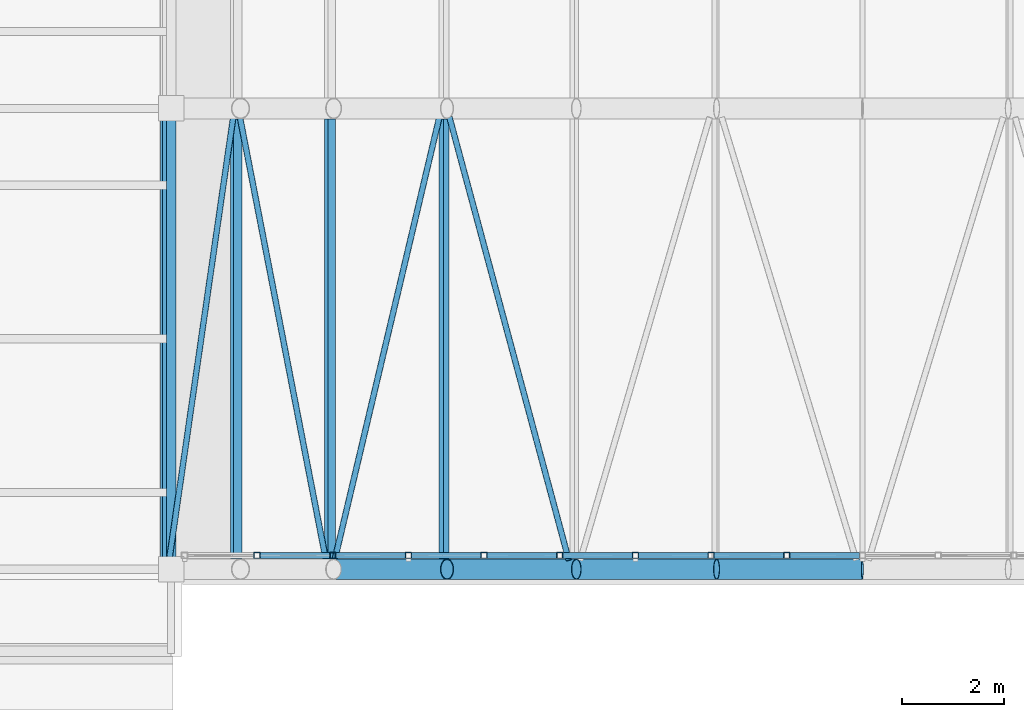
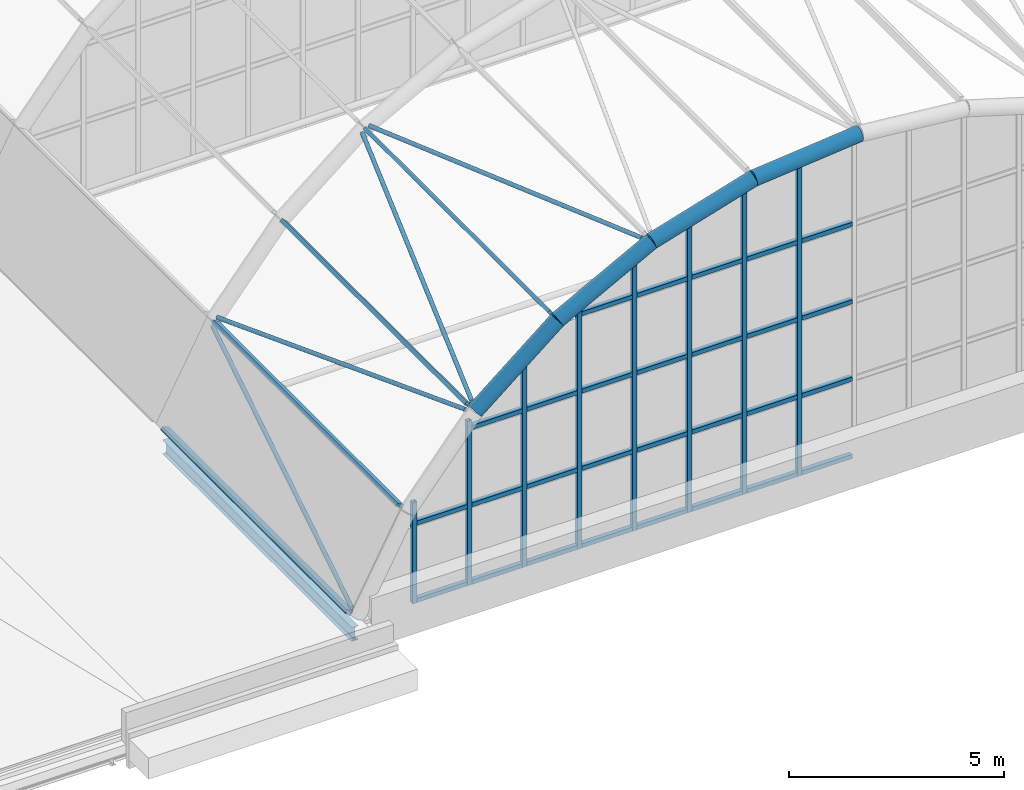
# One storey, part 20 of 121: 48 members, 1 beam, 1 element without a shape of its own.
"""IFC4 building model written with IfcOpenShell, lengths in metres."""

from ifc_helpers import new_model, si_unit, direction, frame, origin, origin_2d, place, context, subcontext, project, spatial, hollow_rectangle, hollow_circle, i_section, extrude, material, material_profile, profile_set, type_object, element, aggregate, save


model = new_model("IFC4")

# Units and contexts
model_context = context("Model", 3, precision=1e-05, world=origin(), true_north=direction((0.0, 1.0)))
body_context = subcontext(model_context, "Body", "Model", "MODEL_VIEW")
ifc_project = project(units=[si_unit("LENGTHUNIT", "METRE"), si_unit("AREAUNIT", "SQUARE_METRE"), si_unit("VOLUMEUNIT", "CUBIC_METRE"), si_unit("PLANEANGLEUNIT", "RADIAN"), si_unit("MASSUNIT", "GRAM", prefix="KILO")], contexts=[model_context])

# Site, building, storey
site_placement = place(None, origin())
site = spatial("IfcSite", under=ifc_project, at=site_placement, CompositionType="ELEMENT")
building_placement = place(site_placement, origin())
building = spatial("IfcBuilding", under=site, at=building_placement, Name="Golden Quay Civic Hall", CompositionType="ELEMENT")
storey_placement = place(building_placement, frame((0.0, 0.0, 18.60009765625)))
storey = spatial("IfcBuildingStorey", under=building, at=storey_placement, Name="L04", CompositionType="ELEMENT", Elevation=18.60009765625)

# Members
ifc_material_1 = material(Name="Steel S355", Category="steel")
ifc_material_profile_1 = material_profile(ifc_material_1, hollow_circle(Radius=0.203125, WallThickness=0.01611328125, at=origin_2d()), Name="CHS 406.4x16")
ifc_profile_set_1 = profile_set([ifc_material_profile_1], Name="Steel S355")
member_type_1 = type_object("IfcMemberType", Name="Steel arch rib CHS 406.4x16", PredefinedType="USERDEFINED", material=ifc_profile_set_1)
for number, where, z_axis, x_axis, name in (
    (1, (75.173095703125, 0.0, 4.830810546875), (0.773786223221, 0.0, 0.633446825514), (0.0, 1.0, 0.0), "Arch rib 1 segment 3"),
    (2, (77.387451171875, 0.0, 6.6435546875), (0.882326964097, 0.0, 0.470636939082), (0.0, 1.0, 0.0), "Arch rib 1 segment 4"),
):
    element("IfcMember", number, at=place(storey_placement, frame(where, z_axis=z_axis, x_axis=x_axis)), inside=storey, type_object=member_type_1, Name=name, ObjectType="ARCH RIB", PredefinedType="USERDEFINED", context=body_context, shape_type="SweptSolid", body=[
        extrude(hollow_circle(Radius=0.203125, WallThickness=0.01611328125, at=origin_2d()), origin(), (0.0, 0.0, 1.0), 2.86181640625),
    ])
member_1_placement = place(storey_placement, frame((79.91259765625, 0.0, 7.990478515625), z_axis=(0.957095401463, 0.0, 0.289773001673), x_axis=(0.0, 1.0, 0.0)))
element("IfcMember", 3, at=member_1_placement, inside=storey, type_object=member_type_1, Name="Arch rib 1 segment 5", ObjectType="ARCH RIB", PredefinedType="USERDEFINED", context=body_context, shape_type="SweptSolid", body=[
    extrude(hollow_circle(Radius=0.203125, WallThickness=0.01611328125, at=origin_2d()), origin(), (0.0, 0.0, 1.0), 2.862060546875),
])
member_2_placement = place(storey_placement, frame((82.65185546875, 0.0, 8.81982421875), z_axis=(0.995201360973, 0.0, 0.097848102266), x_axis=(0.0, 1.0, 0.0)))
element("IfcMember", 4, at=member_2_placement, inside=storey, type_object=member_type_1, Name="Arch rib 1 segment 6", ObjectType="ARCH RIB", PredefinedType="USERDEFINED", context=body_context, shape_type="SweptSolid", body=[
    extrude(hollow_circle(Radius=0.203125, WallThickness=0.01611328125, at=origin_2d()), origin(), (0.0, 0.0, 1.0), 2.86181640625),
])

# Beam
ifc_material_2 = material(Name="Steel S355", Category="steel")
ifc_material_profile_2 = material_profile(ifc_material_2, i_section(OverallWidth=0.179931640625, OverallDepth=0.39990234375, WebThickness=0.008544921875, FlangeThickness=0.013427734375, FilletRadius=0.02099609375, at=origin_2d()), Name="IPE 400")
ifc_profile_set_2 = profile_set([ifc_material_profile_2], Name="Steel S355")
beam_type = type_object("IfcBeamType", Name="Steel beam IPE 400", PredefinedType="BEAM", material=ifc_profile_set_2)
beam_placement = place(storey_placement, frame((72.0, 0.094970703125, -0.4501953125), z_axis=(0.0, 1.0, 0.0), x_axis=(-1.0, 0.0, 0.0)))
element("IfcBeam", 5, at=beam_placement, inside=storey, type_object=beam_type, Name="Beam L72-0", PredefinedType="BEAM", context=body_context, shape_type="SweptSolid", body=[
    extrude(i_section(OverallWidth=0.179931640625, OverallDepth=0.39990234375, WebThickness=0.008544921875, FlangeThickness=0.013427734375, FilletRadius=0.02099609375, at=origin_2d()), origin(), (0.0, 0.0, 1.0), 8.81005859375),
])

# Members
ifc_material_3 = material(Name="Steel S355", Category="steel")
ifc_material_profile_3 = material_profile(ifc_material_3, hollow_circle(Radius=0.05712890625, WallThickness=0.00634765625, at=origin_2d()), Name="CHS 114.3x6.3")
ifc_profile_set_3 = profile_set([ifc_material_profile_3], Name="Steel S355")
member_type_2 = type_object("IfcMemberType", Name="Steel bracing rod CHS 114.3x6.3", PredefinedType="BRACE", material=ifc_profile_set_3)
for number, where, z_axis, x_axis, name in (
    (6, (71.961181640625, 0.175048828125, 0.24560546875), (0.138180562314, 0.9563854899, 0.257357585682), (-0.989723086129, 0.142997247471, 0.0), "Vault bracing south 1"),
    (7, (73.34423828125, 8.824951171875, 2.771728515625), (0.185661631915, -0.956381450821, 0.225531104195), (0.981673313641, 0.190571522755, 0.0), "Vault bracing south 2"),
    (8, (75.192626953125, 0.175048828125, 4.980224609375), (0.226043817582, 0.956380756741, 0.185040645991), (-0.973186848688, 0.230015994099, 0.0), "Vault bracing south 3"),
    (9, (77.43603515625, 8.824951171875, 6.786376953125), (0.257735343347, -0.956384919854, 0.137478645126), (0.965553106332, 0.260206069976, 0.0), "Vault bracing south 4"),
):
    element("IfcMember", number, at=place(storey_placement, frame(where, z_axis=z_axis, x_axis=x_axis)), inside=storey, type_object=member_type_2, Name=name, PredefinedType="BRACE", context=body_context, shape_type="SweptSolid", body=[
        extrude(hollow_circle(Radius=0.05712890625, WallThickness=0.00634765625, at=origin_2d()), origin(), (0.0, 0.0, 1.0), 9.04443359375),
    ])

# Curtain wall, members
ifc_material_4 = material(Name="Glass and aluminium", Category="aluminium")
curtain_wall_type = type_object("IfcCurtainWallType", Name="Glazed curtain wall 1500 module", PredefinedType="NOTDEFINED", material=ifc_material_4)
curtain_wall_placement = place(storey_placement, origin())
curtain_wall = element("IfcCurtainWall", 10, at=curtain_wall_placement, inside=storey, type_object=curtain_wall_type, Name="Curtain wall tympanum south", PredefinedType="NOTDEFINED")
ifc_material_5 = material(Name="Steel S355", Category="steel")
ifc_material_profile_4 = material_profile(ifc_material_5, hollow_rectangle(XDim=0.1201171875, YDim=0.1201171875, WallThickness=0.008056640625, at=origin_2d()), Name="SHS 120x120x8")
ifc_profile_set_4 = profile_set([ifc_material_profile_4], Name="Steel S355")
member_type_3 = type_object("IfcMemberType", Name="Steel mullion SHS 120x120x8", PredefinedType="MULLION", material=ifc_profile_set_4)
member_3_placement = place(storey_placement, frame((73.677734375, 0.27001953125, -0.25), z_axis=(0.0, 0.0, 1.0), x_axis=(0.0, 1.0, 0.0)))
member_3 = element("IfcMember", 11, at=member_3_placement, type_object=member_type_3, Name="Tympanum mullion 2", PredefinedType="MULLION", context=body_context, shape_type="SweptSolid", body=[
    extrude(hollow_rectangle(XDim=0.1201171875, YDim=0.1201171875, WallThickness=0.008056640625, at=origin_2d()), origin(), (0.0, 0.0, 1.0), 2.8720703125),
])
member_4_placement = place(storey_placement, frame((75.155517578125, 0.27001953125, -0.25), z_axis=(0.0, 0.0, 1.0), x_axis=(0.0, 1.0, 0.0)))
member_4 = element("IfcMember", 12, at=member_4_placement, type_object=member_type_3, Name="Tympanum mullion 3", PredefinedType="MULLION", context=body_context, shape_type="SweptSolid", body=[
    extrude(hollow_rectangle(XDim=0.1201171875, YDim=0.1201171875, WallThickness=0.008056640625, at=origin_2d()), origin(), (0.0, 0.0, 1.0), 4.6669921875),
])
member_5_placement = place(storey_placement, frame((76.63330078125, 0.27001953125, -0.25), z_axis=(0.0, 0.0, 1.0), x_axis=(0.0, 1.0, 0.0)))
member_5 = element("IfcMember", 13, at=member_5_placement, type_object=member_type_3, Name="Tympanum mullion 4", PredefinedType="MULLION", context=body_context, shape_type="SweptSolid", body=[
    extrude(hollow_rectangle(XDim=0.1201171875, YDim=0.1201171875, WallThickness=0.008056640625, at=origin_2d()), origin(), (0.0, 0.0, 1.0), 5.964599609375),
])
member_6_placement = place(storey_placement, frame((78.111083984375, 0.27001953125, -0.25), z_axis=(0.0, 0.0, 1.0), x_axis=(0.0, 1.0, 0.0)))
member_6 = element("IfcMember", 14, at=member_6_placement, type_object=member_type_3, Name="Tympanum mullion 5", PredefinedType="MULLION", context=body_context, shape_type="SweptSolid", body=[
    extrude(hollow_rectangle(XDim=0.1201171875, YDim=0.1201171875, WallThickness=0.008056640625, at=origin_2d()), origin(), (0.0, 0.0, 1.0), 7.017333984375),
])
member_7_placement = place(storey_placement, frame((79.5888671875, 0.27001953125, -0.25), z_axis=(0.0, 0.0, 1.0), x_axis=(0.0, 1.0, 0.0)))
member_7 = element("IfcMember", 15, at=member_7_placement, type_object=member_type_3, Name="Tympanum mullion 6", PredefinedType="MULLION", context=body_context, shape_type="SweptSolid", body=[
    extrude(hollow_rectangle(XDim=0.1201171875, YDim=0.1201171875, WallThickness=0.008056640625, at=origin_2d()), origin(), (0.0, 0.0, 1.0), 7.805419921875),
])
member_8_placement = place(storey_placement, frame((81.066650390625, 0.27001953125, -0.25), z_axis=(0.0, 0.0, 1.0), x_axis=(0.0, 1.0, 0.0)))
member_8 = element("IfcMember", 16, at=member_8_placement, type_object=member_type_3, Name="Tympanum mullion 7", PredefinedType="MULLION", context=body_context, shape_type="SweptSolid", body=[
    extrude(hollow_rectangle(XDim=0.1201171875, YDim=0.1201171875, WallThickness=0.008056640625, at=origin_2d()), origin(), (0.0, 0.0, 1.0), 8.359375),
])
member_9_placement = place(storey_placement, frame((82.54443359375, 0.27001953125, -0.25), z_axis=(0.0, 0.0, 1.0), x_axis=(0.0, 1.0, 0.0)))
member_9 = element("IfcMember", 17, at=member_9_placement, type_object=member_type_3, Name="Tympanum mullion 8", PredefinedType="MULLION", context=body_context, shape_type="SweptSolid", body=[
    extrude(hollow_rectangle(XDim=0.1201171875, YDim=0.1201171875, WallThickness=0.008056640625, at=origin_2d()), origin(), (0.0, 0.0, 1.0), 8.806884765625),
])
member_10_placement = place(storey_placement, frame((84.022216796875, 0.27001953125, -0.25), z_axis=(0.0, 0.0, 1.0), x_axis=(0.0, 1.0, 0.0)))
member_10 = element("IfcMember", 18, at=member_10_placement, type_object=member_type_3, Name="Tympanum mullion 9", PredefinedType="MULLION", context=body_context, shape_type="SweptSolid", body=[
    extrude(hollow_rectangle(XDim=0.1201171875, YDim=0.1201171875, WallThickness=0.008056640625, at=origin_2d()), origin(), (0.0, 0.0, 1.0), 8.99462890625),
])

# Members
ifc_material_6 = material(Name="Steel S355", Category="steel")
ifc_material_profile_5 = material_profile(ifc_material_6, hollow_rectangle(XDim=0.10009765625, YDim=0.199951171875, WallThickness=0.008056640625, at=origin_2d()), Name="RHS 200x100x8")
ifc_profile_set_5 = profile_set([ifc_material_profile_5], Name="Steel S355")
member_type_4 = type_object("IfcMemberType", Name="Steel purlin RHS 200x100x8", PredefinedType="PURLIN", material=ifc_profile_set_5)
for number, where, z_axis, x_axis, name in (
    (19, (71.90478515625, 0.203125, 0.1396484375), (0.0, 1.0, 0.0), (-0.384615384615, 0.0, -0.923076923077), "Purlin 1.1"),
    (20, (73.268310546875, 0.203125, 2.6787109375), (0.0, 1.0, 0.0), (-0.557018943033, 0.0, -0.830499787539), "Purlin 1.2"),
    (21, (75.10009765625, 0.203125, 4.90380859375), (0.0, 1.0, 0.0), (-0.708092289314, 0.0, -0.70611989762), "Purlin 1.3"),
    (22, (77.330322265625, 0.203125, 6.7294921875), (0.0, 1.0, 0.0), (-0.832050294338, 0.0, -0.554700196226), "Purlin 1.4"),
):
    element("IfcMember", number, at=place(storey_placement, frame(where, z_axis=z_axis, x_axis=x_axis)), inside=storey, type_object=member_type_4, Name=name, PredefinedType="PURLIN", context=body_context, shape_type="SweptSolid", body=[
        extrude(hollow_rectangle(XDim=0.10009765625, YDim=0.199951171875, WallThickness=0.008056640625, at=origin_2d()), origin(), (0.0, 0.0, 1.0), 8.59375),
    ])

# Member
ifc_material_7 = material(Name="Steel S355", Category="steel")
ifc_material_profile_6 = material_profile(ifc_material_7, hollow_rectangle(XDim=0.1201171875, YDim=0.1201171875, WallThickness=0.008056640625, at=origin_2d()), Name="SHS 120x120x8")
ifc_profile_set_6 = profile_set([ifc_material_profile_6], Name="Steel S355")
member_type_5 = type_object("IfcMemberType", Name="Steel transom SHS 120x120x8", PredefinedType="USERDEFINED", material=ifc_profile_set_6)
member_11_placement = place(storey_placement, frame((73.73779296875, 0.27001953125, -0.190185546875), z_axis=(1.0, 0.0, 0.0), x_axis=(0.0, 1.0, 0.0)))
member_11 = element("IfcMember", 23, at=member_11_placement, type_object=member_type_5, Name="Tympanum transom 2.1", ObjectType="TRANSOM", PredefinedType="USERDEFINED", context=body_context, shape_type="SweptSolid", body=[
    extrude(hollow_rectangle(XDim=0.1201171875, YDim=0.1201171875, WallThickness=0.008056640625, at=origin_2d()), origin(), (0.0, 0.0, 1.0), 1.357666015625),
])

member_12_placement = place(storey_placement, frame((73.73779296875, 0.27001953125, 2.010009765625), z_axis=(1.0, 0.0, 0.0), x_axis=(0.0, 1.0, 0.0)))
member_12 = element("IfcMember", 24, at=member_12_placement, type_object=member_type_5, Name="Tympanum transom 2.2", ObjectType="TRANSOM", PredefinedType="USERDEFINED", context=body_context, shape_type="SweptSolid", body=[
    extrude(hollow_rectangle(XDim=0.1201171875, YDim=0.1201171875, WallThickness=0.008056640625, at=origin_2d()), origin(), (0.0, 0.0, 1.0), 1.357666015625),
])

member_13_placement = place(storey_placement, frame((75.215576171875, 0.27001953125, -0.190185546875), z_axis=(1.0, 0.0, 0.0), x_axis=(0.0, 1.0, 0.0)))
member_13 = element("IfcMember", 25, at=member_13_placement, type_object=member_type_5, Name="Tympanum transom 3.1", ObjectType="TRANSOM", PredefinedType="USERDEFINED", context=body_context, shape_type="SweptSolid", body=[
    extrude(hollow_rectangle(XDim=0.1201171875, YDim=0.1201171875, WallThickness=0.008056640625, at=origin_2d()), origin(), (0.0, 0.0, 1.0), 1.357666015625),
])

member_14_placement = place(storey_placement, frame((75.215576171875, 0.27001953125, 2.010009765625), z_axis=(1.0, 0.0, 0.0), x_axis=(0.0, 1.0, 0.0)))
member_14 = element("IfcMember", 26, at=member_14_placement, type_object=member_type_5, Name="Tympanum transom 3.2", ObjectType="TRANSOM", PredefinedType="USERDEFINED", context=body_context, shape_type="SweptSolid", body=[
    extrude(hollow_rectangle(XDim=0.1201171875, YDim=0.1201171875, WallThickness=0.008056640625, at=origin_2d()), origin(), (0.0, 0.0, 1.0), 1.357666015625),
])

member_15_placement = place(storey_placement, frame((75.215576171875, 0.27001953125, 4.2099609375), z_axis=(1.0, 0.0, 0.0), x_axis=(0.0, 1.0, 0.0)))
member_15 = element("IfcMember", 27, at=member_15_placement, type_object=member_type_5, Name="Tympanum transom 3.3", ObjectType="TRANSOM", PredefinedType="USERDEFINED", context=body_context, shape_type="SweptSolid", body=[
    extrude(hollow_rectangle(XDim=0.1201171875, YDim=0.1201171875, WallThickness=0.008056640625, at=origin_2d()), origin(), (0.0, 0.0, 1.0), 1.357666015625),
])

member_16_placement = place(storey_placement, frame((76.693359375, 0.27001953125, -0.190185546875), z_axis=(1.0, 0.0, 0.0), x_axis=(0.0, 1.0, 0.0)))
member_16 = element("IfcMember", 28, at=member_16_placement, type_object=member_type_5, Name="Tympanum transom 4.1", ObjectType="TRANSOM", PredefinedType="USERDEFINED", context=body_context, shape_type="SweptSolid", body=[
    extrude(hollow_rectangle(XDim=0.1201171875, YDim=0.1201171875, WallThickness=0.008056640625, at=origin_2d()), origin(), (0.0, 0.0, 1.0), 1.357666015625),
])

member_17_placement = place(storey_placement, frame((76.693359375, 0.27001953125, 2.010009765625), z_axis=(1.0, 0.0, 0.0), x_axis=(0.0, 1.0, 0.0)))
member_17 = element("IfcMember", 29, at=member_17_placement, type_object=member_type_5, Name="Tympanum transom 4.2", ObjectType="TRANSOM", PredefinedType="USERDEFINED", context=body_context, shape_type="SweptSolid", body=[
    extrude(hollow_rectangle(XDim=0.1201171875, YDim=0.1201171875, WallThickness=0.008056640625, at=origin_2d()), origin(), (0.0, 0.0, 1.0), 1.357666015625),
])

member_18_placement = place(storey_placement, frame((76.693359375, 0.27001953125, 4.2099609375), z_axis=(1.0, 0.0, 0.0), x_axis=(0.0, 1.0, 0.0)))
member_18 = element("IfcMember", 30, at=member_18_placement, type_object=member_type_5, Name="Tympanum transom 4.3", ObjectType="TRANSOM", PredefinedType="USERDEFINED", context=body_context, shape_type="SweptSolid", body=[
    extrude(hollow_rectangle(XDim=0.1201171875, YDim=0.1201171875, WallThickness=0.008056640625, at=origin_2d()), origin(), (0.0, 0.0, 1.0), 1.357666015625),
])

member_19_placement = place(storey_placement, frame((78.171142578125, 0.27001953125, -0.190185546875), z_axis=(1.0, 0.0, 0.0), x_axis=(0.0, 1.0, 0.0)))
member_19 = element("IfcMember", 31, at=member_19_placement, type_object=member_type_5, Name="Tympanum transom 5.1", ObjectType="TRANSOM", PredefinedType="USERDEFINED", context=body_context, shape_type="SweptSolid", body=[
    extrude(hollow_rectangle(XDim=0.1201171875, YDim=0.1201171875, WallThickness=0.008056640625, at=origin_2d()), origin(), (0.0, 0.0, 1.0), 1.357666015625),
])

member_20_placement = place(storey_placement, frame((78.171142578125, 0.27001953125, 2.010009765625), z_axis=(1.0, 0.0, 0.0), x_axis=(0.0, 1.0, 0.0)))
member_20 = element("IfcMember", 32, at=member_20_placement, type_object=member_type_5, Name="Tympanum transom 5.2", ObjectType="TRANSOM", PredefinedType="USERDEFINED", context=body_context, shape_type="SweptSolid", body=[
    extrude(hollow_rectangle(XDim=0.1201171875, YDim=0.1201171875, WallThickness=0.008056640625, at=origin_2d()), origin(), (0.0, 0.0, 1.0), 1.357666015625),
])

member_21_placement = place(storey_placement, frame((78.171142578125, 0.27001953125, 4.2099609375), z_axis=(1.0, 0.0, 0.0), x_axis=(0.0, 1.0, 0.0)))
member_21 = element("IfcMember", 33, at=member_21_placement, type_object=member_type_5, Name="Tympanum transom 5.3", ObjectType="TRANSOM", PredefinedType="USERDEFINED", context=body_context, shape_type="SweptSolid", body=[
    extrude(hollow_rectangle(XDim=0.1201171875, YDim=0.1201171875, WallThickness=0.008056640625, at=origin_2d()), origin(), (0.0, 0.0, 1.0), 1.357666015625),
])

member_22_placement = place(storey_placement, frame((78.171142578125, 0.27001953125, 6.409912109375), z_axis=(1.0, 0.0, 0.0), x_axis=(0.0, 1.0, 0.0)))
member_22 = element("IfcMember", 34, at=member_22_placement, type_object=member_type_5, Name="Tympanum transom 5.4", ObjectType="TRANSOM", PredefinedType="USERDEFINED", context=body_context, shape_type="SweptSolid", body=[
    extrude(hollow_rectangle(XDim=0.1201171875, YDim=0.1201171875, WallThickness=0.008056640625, at=origin_2d()), origin(), (0.0, 0.0, 1.0), 1.357666015625),
])

member_23_placement = place(storey_placement, frame((79.64892578125, 0.27001953125, -0.190185546875), z_axis=(1.0, 0.0, 0.0), x_axis=(0.0, 1.0, 0.0)))
member_23 = element("IfcMember", 35, at=member_23_placement, type_object=member_type_5, Name="Tympanum transom 6.1", ObjectType="TRANSOM", PredefinedType="USERDEFINED", context=body_context, shape_type="SweptSolid", body=[
    extrude(hollow_rectangle(XDim=0.1201171875, YDim=0.1201171875, WallThickness=0.008056640625, at=origin_2d()), origin(), (0.0, 0.0, 1.0), 1.357666015625),
])

member_24_placement = place(storey_placement, frame((79.64892578125, 0.27001953125, 2.010009765625), z_axis=(1.0, 0.0, 0.0), x_axis=(0.0, 1.0, 0.0)))
member_24 = element("IfcMember", 36, at=member_24_placement, type_object=member_type_5, Name="Tympanum transom 6.2", ObjectType="TRANSOM", PredefinedType="USERDEFINED", context=body_context, shape_type="SweptSolid", body=[
    extrude(hollow_rectangle(XDim=0.1201171875, YDim=0.1201171875, WallThickness=0.008056640625, at=origin_2d()), origin(), (0.0, 0.0, 1.0), 1.357666015625),
])

member_25_placement = place(storey_placement, frame((79.64892578125, 0.27001953125, 4.2099609375), z_axis=(1.0, 0.0, 0.0), x_axis=(0.0, 1.0, 0.0)))
member_25 = element("IfcMember", 37, at=member_25_placement, type_object=member_type_5, Name="Tympanum transom 6.3", ObjectType="TRANSOM", PredefinedType="USERDEFINED", context=body_context, shape_type="SweptSolid", body=[
    extrude(hollow_rectangle(XDim=0.1201171875, YDim=0.1201171875, WallThickness=0.008056640625, at=origin_2d()), origin(), (0.0, 0.0, 1.0), 1.357666015625),
])

member_26_placement = place(storey_placement, frame((79.64892578125, 0.27001953125, 6.409912109375), z_axis=(1.0, 0.0, 0.0), x_axis=(0.0, 1.0, 0.0)))
member_26 = element("IfcMember", 38, at=member_26_placement, type_object=member_type_5, Name="Tympanum transom 6.4", ObjectType="TRANSOM", PredefinedType="USERDEFINED", context=body_context, shape_type="SweptSolid", body=[
    extrude(hollow_rectangle(XDim=0.1201171875, YDim=0.1201171875, WallThickness=0.008056640625, at=origin_2d()), origin(), (0.0, 0.0, 1.0), 1.357666015625),
])

member_27_placement = place(storey_placement, frame((81.126708984375, 0.27001953125, -0.190185546875), z_axis=(1.0, 0.0, 0.0), x_axis=(0.0, 1.0, 0.0)))
member_27 = element("IfcMember", 39, at=member_27_placement, type_object=member_type_5, Name="Tympanum transom 7.1", ObjectType="TRANSOM", PredefinedType="USERDEFINED", context=body_context, shape_type="SweptSolid", body=[
    extrude(hollow_rectangle(XDim=0.1201171875, YDim=0.1201171875, WallThickness=0.008056640625, at=origin_2d()), origin(), (0.0, 0.0, 1.0), 1.357666015625),
])

member_28_placement = place(storey_placement, frame((81.126708984375, 0.27001953125, 2.010009765625), z_axis=(1.0, 0.0, 0.0), x_axis=(0.0, 1.0, 0.0)))
member_28 = element("IfcMember", 40, at=member_28_placement, type_object=member_type_5, Name="Tympanum transom 7.2", ObjectType="TRANSOM", PredefinedType="USERDEFINED", context=body_context, shape_type="SweptSolid", body=[
    extrude(hollow_rectangle(XDim=0.1201171875, YDim=0.1201171875, WallThickness=0.008056640625, at=origin_2d()), origin(), (0.0, 0.0, 1.0), 1.357666015625),
])

member_29_placement = place(storey_placement, frame((81.126708984375, 0.27001953125, 4.2099609375), z_axis=(1.0, 0.0, 0.0), x_axis=(0.0, 1.0, 0.0)))
member_29 = element("IfcMember", 41, at=member_29_placement, type_object=member_type_5, Name="Tympanum transom 7.3", ObjectType="TRANSOM", PredefinedType="USERDEFINED", context=body_context, shape_type="SweptSolid", body=[
    extrude(hollow_rectangle(XDim=0.1201171875, YDim=0.1201171875, WallThickness=0.008056640625, at=origin_2d()), origin(), (0.0, 0.0, 1.0), 1.357666015625),
])

member_30_placement = place(storey_placement, frame((81.126708984375, 0.27001953125, 6.409912109375), z_axis=(1.0, 0.0, 0.0), x_axis=(0.0, 1.0, 0.0)))
member_30 = element("IfcMember", 42, at=member_30_placement, type_object=member_type_5, Name="Tympanum transom 7.4", ObjectType="TRANSOM", PredefinedType="USERDEFINED", context=body_context, shape_type="SweptSolid", body=[
    extrude(hollow_rectangle(XDim=0.1201171875, YDim=0.1201171875, WallThickness=0.008056640625, at=origin_2d()), origin(), (0.0, 0.0, 1.0), 1.357666015625),
])

member_31_placement = place(storey_placement, frame((82.6044921875, 0.27001953125, -0.190185546875), z_axis=(1.0, 0.0, 0.0), x_axis=(0.0, 1.0, 0.0)))
member_31 = element("IfcMember", 43, at=member_31_placement, type_object=member_type_5, Name="Tympanum transom 8.1", ObjectType="TRANSOM", PredefinedType="USERDEFINED", context=body_context, shape_type="SweptSolid", body=[
    extrude(hollow_rectangle(XDim=0.1201171875, YDim=0.1201171875, WallThickness=0.008056640625, at=origin_2d()), origin(), (0.0, 0.0, 1.0), 1.357666015625),
])

member_32_placement = place(storey_placement, frame((82.6044921875, 0.27001953125, 2.010009765625), z_axis=(1.0, 0.0, 0.0), x_axis=(0.0, 1.0, 0.0)))
member_32 = element("IfcMember", 44, at=member_32_placement, type_object=member_type_5, Name="Tympanum transom 8.2", ObjectType="TRANSOM", PredefinedType="USERDEFINED", context=body_context, shape_type="SweptSolid", body=[
    extrude(hollow_rectangle(XDim=0.1201171875, YDim=0.1201171875, WallThickness=0.008056640625, at=origin_2d()), origin(), (0.0, 0.0, 1.0), 1.357666015625),
])

member_33_placement = place(storey_placement, frame((82.6044921875, 0.27001953125, 4.2099609375), z_axis=(1.0, 0.0, 0.0), x_axis=(0.0, 1.0, 0.0)))
member_33 = element("IfcMember", 45, at=member_33_placement, type_object=member_type_5, Name="Tympanum transom 8.3", ObjectType="TRANSOM", PredefinedType="USERDEFINED", context=body_context, shape_type="SweptSolid", body=[
    extrude(hollow_rectangle(XDim=0.1201171875, YDim=0.1201171875, WallThickness=0.008056640625, at=origin_2d()), origin(), (0.0, 0.0, 1.0), 1.357666015625),
])

member_34_placement = place(storey_placement, frame((82.6044921875, 0.27001953125, 6.409912109375), z_axis=(1.0, 0.0, 0.0), x_axis=(0.0, 1.0, 0.0)))
member_34 = element("IfcMember", 46, at=member_34_placement, type_object=member_type_5, Name="Tympanum transom 8.4", ObjectType="TRANSOM", PredefinedType="USERDEFINED", context=body_context, shape_type="SweptSolid", body=[
    extrude(hollow_rectangle(XDim=0.1201171875, YDim=0.1201171875, WallThickness=0.008056640625, at=origin_2d()), origin(), (0.0, 0.0, 1.0), 1.357666015625),
])

member_35_placement = place(storey_placement, frame((84.082275390625, 0.27001953125, -0.190185546875), z_axis=(1.0, 0.0, 0.0), x_axis=(0.0, 1.0, 0.0)))
member_35 = element("IfcMember", 47, at=member_35_placement, type_object=member_type_5, Name="Tympanum transom 9.1", ObjectType="TRANSOM", PredefinedType="USERDEFINED", context=body_context, shape_type="SweptSolid", body=[
    extrude(hollow_rectangle(XDim=0.1201171875, YDim=0.1201171875, WallThickness=0.008056640625, at=origin_2d()), origin(), (0.0, 0.0, 1.0), 1.357666015625),
])

member_36_placement = place(storey_placement, frame((84.082275390625, 0.27001953125, 2.010009765625), z_axis=(1.0, 0.0, 0.0), x_axis=(0.0, 1.0, 0.0)))
member_36 = element("IfcMember", 48, at=member_36_placement, type_object=member_type_5, Name="Tympanum transom 9.2", ObjectType="TRANSOM", PredefinedType="USERDEFINED", context=body_context, shape_type="SweptSolid", body=[
    extrude(hollow_rectangle(XDim=0.1201171875, YDim=0.1201171875, WallThickness=0.008056640625, at=origin_2d()), origin(), (0.0, 0.0, 1.0), 1.357666015625),
])

member_37_placement = place(storey_placement, frame((84.082275390625, 0.27001953125, 4.2099609375), z_axis=(1.0, 0.0, 0.0), x_axis=(0.0, 1.0, 0.0)))
member_37 = element("IfcMember", 49, at=member_37_placement, type_object=member_type_5, Name="Tympanum transom 9.3", ObjectType="TRANSOM", PredefinedType="USERDEFINED", context=body_context, shape_type="SweptSolid", body=[
    extrude(hollow_rectangle(XDim=0.1201171875, YDim=0.1201171875, WallThickness=0.008056640625, at=origin_2d()), origin(), (0.0, 0.0, 1.0), 1.357666015625),
])

member_38_placement = place(storey_placement, frame((84.082275390625, 0.27001953125, 6.409912109375), z_axis=(1.0, 0.0, 0.0), x_axis=(0.0, 1.0, 0.0)))
member_38 = element("IfcMember", 50, at=member_38_placement, type_object=member_type_5, Name="Tympanum transom 9.4", ObjectType="TRANSOM", PredefinedType="USERDEFINED", context=body_context, shape_type="SweptSolid", body=[
    extrude(hollow_rectangle(XDim=0.1201171875, YDim=0.1201171875, WallThickness=0.008056640625, at=origin_2d()), origin(), (0.0, 0.0, 1.0), 1.357666015625),
])

aggregate(curtain_wall, [member_3, member_4, member_5, member_6, member_7, member_8, member_9, member_10, member_11, member_12, member_13, member_14, member_15, member_16, member_17, member_18, member_19, member_20, member_21, member_22, member_23, member_24, member_25, member_26, member_27, member_28, member_29, member_30, member_31, member_32, member_33, member_34, member_35, member_36, member_37, member_38])

save(model, "model.ifc")
